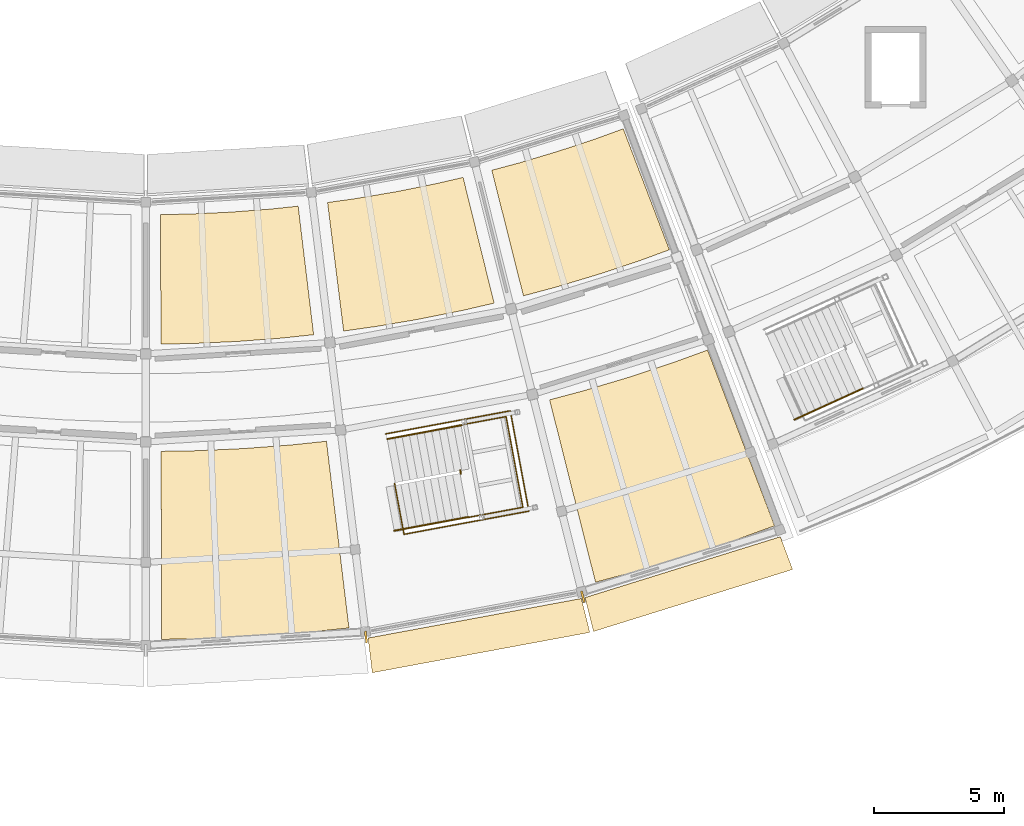
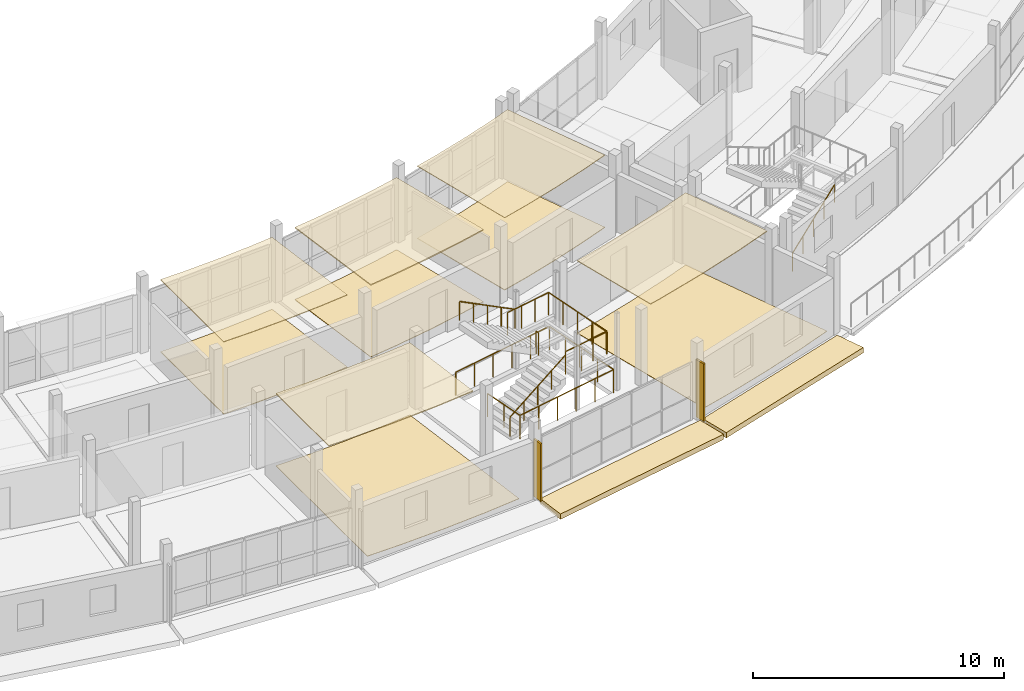
# One storey, part 34 of 36: 12 coverings, 6 railings, 2 shading devices.
"""IFC4 building model written with IfcOpenShell, lengths in metres."""

from ifc_helpers import new_model, si_unit, direction, frame, origin, origin_2d, place, context, subcontext, project, spatial, polyline, rectangle, circle, outline, extrude, material, layer, layer_set, type_object, element, save


model = new_model("IFC4")

# Units and contexts
model_context = context("Model", 3, precision=1e-05, world=origin(), true_north=direction((0.0, 1.0)))
body_context = subcontext(model_context, "Body", "Model", "MODEL_VIEW")
ifc_project = project(units=[si_unit("LENGTHUNIT", "METRE"), si_unit("AREAUNIT", "SQUARE_METRE"), si_unit("VOLUMEUNIT", "CUBIC_METRE"), si_unit("PLANEANGLEUNIT", "RADIAN"), si_unit("MASSUNIT", "GRAM", prefix="KILO")], contexts=[model_context])

# Site, building, storey
site_placement = place(None, origin())
site = spatial("IfcSite", under=ifc_project, at=site_placement, CompositionType="ELEMENT")
building_placement = place(site_placement, origin())
building = spatial("IfcBuilding", under=site, at=building_placement, Name="Caldaven Crescent School", CompositionType="ELEMENT")
storey_placement = place(building_placement, frame((0.0, 0.0, 11.89990234375)))
storey = spatial("IfcBuildingStorey", under=building, at=storey_placement, Name="L03", CompositionType="ELEMENT", Elevation=11.89990234375)

# Coverings
ifc_material_1 = material(Name="White architectural GFRC precast concrete C35/45 cladding", Category="concrete")
ifc_layer_1 = layer(ifc_material_1, 0.260009765625)
ifc_layer_set_1 = layer_set([ifc_layer_1], Name="White architectural GFRC precast concrete C35/45 cladding")
covering_type_1 = type_object("IfcCoveringType", Name="COV-CLD1", PredefinedType="CLADDING", material=ifc_layer_set_1)
covering_1_placement = place(storey_placement, frame((0.0, 0.0, -0.260009765625)))
element("IfcCovering", 1, at=covering_1_placement, inside=storey, type_object=covering_type_1, Name="CLD-OUT-L03-073", PredefinedType="CLADDING", context=body_context, shape_type="SweptSolid", body=[
    extrude(outline(polyline([(96.5791015625, 26.729248046875), (104.815185546875, 28.255615234375), (105.140380859375, 26.945556640625), (96.744873046875, 25.389404296875), (96.5791015625, 26.729248046875)])), origin(), (0.0, 0.0, 1.0), 0.260009765625),
])
covering_2_placement = place(storey_placement, frame((0.0, 0.0, -0.260009765625)))
element("IfcCovering", 2, at=covering_2_placement, inside=storey, type_object=covering_type_1, Name="CLD-OUT-L03-075", PredefinedType="CLADDING", context=body_context, shape_type="SweptSolid", body=[
    extrude(outline(polyline([(104.95703125, 28.291015625), (112.496337890625, 30.6396484375), (112.97021484375, 29.37548828125), (105.284912109375, 26.9814453125), (104.95703125, 28.291015625)])), origin(), (0.0, 0.0, 1.0), 0.260009765625),
])
ifc_material_2 = material(Name="Perforated Pino Radiata acoustic timber baffle ceiling", Category="wood")
ifc_layer_2 = layer(ifc_material_2, 0.030029296875)
ifc_layer_set_2 = layer_set([ifc_layer_2], Name="Perforated Pino Radiata acoustic timber baffle ceiling")
covering_type_2 = type_object("IfcCoveringType", Name="COV-CLG1", PredefinedType="CEILING", material=ifc_layer_set_2)
covering_3_placement = place(storey_placement, frame((0.0, 0.0, 3.510009765625)))
element("IfcCovering", 3, at=covering_3_placement, inside=storey, type_object=covering_type_2, Name="CLG-L03-176", PredefinedType="CEILING", context=body_context, shape_type="SweptSolid", body=[
    extrude(outline(polyline([(102.41943359375, 45.072021484375), (102.43212890625, 45.07568359375), (103.909912109375, 45.517822265625), (103.922607421875, 45.521728515625), (105.386962890625, 46.00732421875), (105.3994140625, 46.01171875), (106.43212890625, 46.38818359375), (108.21337890625, 41.716064453125), (107.0361328125, 41.287109375), (105.419921875, 40.751220703125), (103.78857421875, 40.26318359375), (102.578369140625, 39.939453125), (101.357666015625, 44.7880859375), (102.41943359375, 45.072021484375)])), origin(), (0.0, 0.0, 1.0), 0.030029296875),
])
ifc_layer_3 = layer(ifc_material_2, 0.0380859375)
ifc_layer_set_3 = layer_set([ifc_layer_3], Name="Perforated Pino Radiata acoustic timber baffle ceiling")
covering_type_3 = type_object("IfcCoveringType", Name="COV-CLG2", PredefinedType="CEILING", material=ifc_layer_set_3)
covering_4_placement = place(storey_placement, frame((0.0, 0.0, 3.502197265625)))
element("IfcCovering", 4, at=covering_4_placement, inside=storey, type_object=covering_type_3, Name="CLG-L03-173", PredefinedType="CEILING", context=body_context, shape_type="SweptSolid", body=[
    extrude(outline(polyline([(89.670654296875, 43.096435546875), (89.683837890625, 43.096923828125), (91.224609375, 43.16845703125), (91.23779296875, 43.169189453125), (92.776123046875, 43.285888671875), (92.789306640625, 43.287109375), (93.88232421875, 43.402587890625), (94.480224609375, 38.438720703125), (93.234375, 38.306884765625), (91.53662109375, 38.177978515625), (89.83544921875, 38.09912109375), (88.5830078125, 38.077880859375), (88.5712890625, 43.07763671875), (89.670654296875, 43.096435546875)])), origin(), (0.0, 0.0, 1.0), 0.037841796875),
])
covering_5_placement = place(storey_placement, frame((0.0, 0.0, 3.502197265625)))
element("IfcCovering", 5, at=covering_5_placement, inside=storey, type_object=covering_type_3, Name="CLG-L03-177", PredefinedType="CEILING", context=body_context, shape_type="SweptSolid", body=[
    extrude(outline(polyline([(104.910400390625, 36.278076171875), (104.923095703125, 36.281494140625), (106.658447265625, 36.80078125), (106.671142578125, 36.804931640625), (108.390380859375, 37.375), (108.40283203125, 37.379150390625), (109.68798828125, 37.84765625), (111.183349609375, 33.9248046875), (109.5205078125, 33.321533203125), (107.342041015625, 32.615478515625), (105.140625, 31.985107421875), (104.614013671875, 31.853759765625), (103.589111328125, 35.924560546875), (104.910400390625, 36.278076171875)])), origin(), (0.0, 0.0, 1.0), 0.037841796875),
])
ifc_layer_4 = layer(ifc_material_2, 0.0458984375)
ifc_layer_set_4 = layer_set([ifc_layer_4], Name="Perforated Pino Radiata acoustic timber baffle ceiling")
covering_type_4 = type_object("IfcCoveringType", Name="COV-CLG3", PredefinedType="CEILING", material=ifc_layer_set_4)
covering_6_placement = place(storey_placement, frame((0.0, 0.0, 3.494140625)))
element("IfcCovering", 6, at=covering_6_placement, inside=storey, type_object=covering_type_4, Name="CLG-L03-174", PredefinedType="CEILING", context=body_context, shape_type="SweptSolid", body=[
    extrude(outline(polyline([(89.960205078125, 33.9609375), (89.973388671875, 33.96142578125), (91.78271484375, 34.04541015625), (91.7958984375, 34.046142578125), (93.60205078125, 34.183349609375), (93.614990234375, 34.1845703125), (94.9755859375, 34.328125), (95.4775390625, 30.16015625), (93.7177734375, 29.977294921875), (91.433349609375, 29.819091796875), (89.14501953125, 29.739990234375), (88.60205078125, 29.739990234375), (88.59228515625, 33.937744140625), (89.960205078125, 33.9609375)])), origin(), (0.0, 0.0, 1.0), 0.0458984375),
])
ifc_layer_5 = layer(ifc_material_2, 0.053955078125)
ifc_layer_set_5 = layer_set([ifc_layer_5], Name="Perforated Pino Radiata acoustic timber baffle ceiling")
covering_type_5 = type_object("IfcCoveringType", Name="COV-CLG4", PredefinedType="CEILING", material=ifc_layer_set_5)
covering_7_placement = place(storey_placement, frame((0.0, 0.0, 3.486083984375)))
element("IfcCovering", 7, at=covering_7_placement, inside=storey, type_object=covering_type_5, Name="CLG-L03-175", PredefinedType="CEILING", context=body_context, shape_type="SweptSolid", body=[
    extrude(outline(polyline([(96.10546875, 43.6943359375), (96.118408203125, 43.6962890625), (97.63916015625, 43.955078125), (97.652099609375, 43.95751953125), (99.164794921875, 44.260986328125), (99.177490234375, 44.263916015625), (100.24853515625, 44.511474609375), (101.447021484375, 39.657470703125), (100.2265625, 39.375), (98.556884765625, 39.0400390625), (96.878173828125, 38.75439453125), (95.637451171875, 38.58056640625), (95.016845703125, 43.5419921875), (96.10546875, 43.6943359375)])), origin(), (0.0, 0.0, 1.0), 0.053955078125),
])
ifc_material_3 = material(Name="Polished terrazzo and acoustic linoleum flooring")
ifc_layer_6 = layer(ifc_material_3, 0.02001953125)
ifc_layer_set_6 = layer_set([ifc_layer_6], Name="Polished terrazzo and acoustic linoleum flooring")
covering_type_6 = type_object("IfcCoveringType", Name="COV-FLR1", PredefinedType="FLOORING", material=ifc_layer_set_6)
covering_8_placement = place(storey_placement, origin())
element("IfcCovering", 8, at=covering_8_placement, inside=storey, type_object=covering_type_6, Name="FLR-L03-174", PredefinedType="FLOORING", context=body_context, shape_type="SweptSolid", body=[
    extrude(outline(polyline([(88.59228515625, 33.937744140625), (89.960205078125, 33.9609375), (89.973388671875, 33.96142578125), (91.78271484375, 34.04541015625), (91.7958984375, 34.046142578125), (93.60205078125, 34.183349609375), (93.614990234375, 34.1845703125), (94.9755859375, 34.328125), (95.84375, 27.120361328125), (94.264404296875, 26.95361328125), (92.232421875, 26.79931640625), (90.19677734375, 26.704833984375), (88.609130859375, 26.677978515625), (88.59228515625, 33.937744140625)])), origin(), (0.0, 0.0, 1.0), 0.02001953125),
])
covering_9_placement = place(storey_placement, origin())
element("IfcCovering", 9, at=covering_9_placement, inside=storey, type_object=covering_type_6, Name="FLR-L03-177", PredefinedType="FLOORING", context=body_context, shape_type="SweptSolid", body=[
    extrude(outline(polyline([(103.589111328125, 35.924560546875), (104.910400390625, 36.278076171875), (104.923095703125, 36.281494140625), (106.658447265625, 36.80078125), (106.671142578125, 36.804931640625), (108.390380859375, 37.375), (108.40283203125, 37.379150390625), (109.68798828125, 37.84765625), (112.274169921875, 31.06396484375), (110.7822265625, 30.520263671875), (108.847900390625, 29.87890625), (106.8955078125, 29.294677734375), (105.361572265625, 28.884521484375), (103.589111328125, 35.924560546875)])), origin(), (0.0, 0.0, 1.0), 0.02001953125),
])
ifc_layer_7 = layer(ifc_material_3, 0.02587890625)
ifc_layer_set_7 = layer_set([ifc_layer_7], Name="Polished terrazzo and acoustic linoleum flooring")
covering_type_7 = type_object("IfcCoveringType", Name="COV-FLR2", PredefinedType="FLOORING", material=ifc_layer_set_7)
covering_10_placement = place(storey_placement, origin())
element("IfcCovering", 10, at=covering_10_placement, inside=storey, type_object=covering_type_7, Name="FLR-L03-175", PredefinedType="FLOORING", context=body_context, shape_type="SweptSolid", body=[
    extrude(outline(polyline([(95.016845703125, 43.5419921875), (96.10546875, 43.6943359375), (96.118408203125, 43.6962890625), (97.63916015625, 43.955078125), (97.652099609375, 43.95751953125), (99.164794921875, 44.260986328125), (99.177490234375, 44.263916015625), (100.24853515625, 44.511474609375), (101.447021484375, 39.657470703125), (100.2265625, 39.375), (98.556884765625, 39.0400390625), (96.878173828125, 38.75439453125), (95.637451171875, 38.58056640625), (95.016845703125, 43.5419921875)])), origin(), (0.0, 0.0, 1.0), 0.026123046875),
])
ifc_layer_8 = layer(ifc_material_3, 0.031982421875)
ifc_layer_set_8 = layer_set([ifc_layer_8], Name="Polished terrazzo and acoustic linoleum flooring")
covering_type_8 = type_object("IfcCoveringType", Name="COV-FLR3", PredefinedType="FLOORING", material=ifc_layer_set_8)
covering_11_placement = place(storey_placement, origin())
element("IfcCovering", 11, at=covering_11_placement, inside=storey, type_object=covering_type_8, Name="FLR-L03-173", PredefinedType="FLOORING", context=body_context, shape_type="SweptSolid", body=[
    extrude(outline(polyline([(88.5712890625, 43.07763671875), (89.670654296875, 43.096435546875), (89.683837890625, 43.096923828125), (91.224609375, 43.16845703125), (91.23779296875, 43.169189453125), (92.776123046875, 43.285888671875), (92.789306640625, 43.287109375), (93.88232421875, 43.402587890625), (94.480224609375, 38.438720703125), (93.234375, 38.306884765625), (91.53662109375, 38.177978515625), (89.83544921875, 38.09912109375), (88.5830078125, 38.077880859375), (88.5712890625, 43.07763671875)])), origin(), (0.0, 0.0, 1.0), 0.031982421875),
])
covering_12_placement = place(storey_placement, origin())
element("IfcCovering", 12, at=covering_12_placement, inside=storey, type_object=covering_type_8, Name="FLR-L03-176", PredefinedType="FLOORING", context=body_context, shape_type="SweptSolid", body=[
    extrude(outline(polyline([(101.357666015625, 44.7880859375), (102.41943359375, 45.072021484375), (102.43212890625, 45.07568359375), (103.909912109375, 45.517822265625), (103.922607421875, 45.521728515625), (105.386962890625, 46.00732421875), (105.3994140625, 46.01171875), (106.43212890625, 46.38818359375), (108.21337890625, 41.716064453125), (107.0361328125, 41.287109375), (105.419921875, 40.751220703125), (103.78857421875, 40.26318359375), (102.578369140625, 39.939453125), (101.357666015625, 44.7880859375)])), origin(), (0.0, 0.0, 1.0), 0.031982421875),
])

# Railings
ifc_material_4 = material(Name="Brushed stainless-steel continuous tubular handrail", Category="steel")
railing_type_1 = type_object("IfcRailingType", Name="RAL-HR1", PredefinedType="HANDRAIL", material=ifc_material_4)
railing_1_placement = place(storey_placement, frame((113.043701171875, 35.162841796875, 0.173095703125)))
element("IfcRailing", 13, at=railing_1_placement, inside=storey, type_object=railing_type_1, Name="HR-ST4-L03-F1", PredefinedType="HANDRAIL", context=body_context, shape_type="SweptSolid", body=[
    extrude(circle(Radius=0.02392578125, at=origin_2d()), frame((0.0, 0.0, 0.85595703125), z_axis=(0.785048939612, 0.357698772096, 0.505717066011), x_axis=(-0.414627358551, 0.909991293113, 0.0)), (0.0, 0.0, 1.0), 3.361572265625),
    extrude(circle(Radius=0.02099609375, at=origin_2d()), origin(), (0.0, 0.0, 1.0), 0.831787109375),
    extrude(circle(Radius=0.02099609375, at=origin_2d()), frame((0.65966796875, 0.300537109375, 0.425048828125)), (0.0, 0.0, 1.0), 0.831787109375),
    extrude(circle(Radius=0.02099609375, at=origin_2d()), frame((1.3193359375, 0.60107421875, 0.85009765625)), (0.0, 0.0, 1.0), 0.831787109375),
    extrude(circle(Radius=0.02099609375, at=origin_2d()), frame((1.979248046875, 0.90185546875, 1.27490234375)), (0.0, 0.0, 1.0), 0.831787109375),
    extrude(circle(Radius=0.02099609375, at=origin_2d()), frame((2.638916015625, 1.202392578125, 1.699951171875)), (0.0, 0.0, 1.0), 0.831787109375),
])
railing_type_2 = type_object("IfcRailingType", Name="RAL-HR4", PredefinedType="HANDRAIL", material=ifc_material_4)
railing_2_placement = place(storey_placement, frame((97.589111328125, 30.871826171875, 0.173095703125)))
element("IfcRailing", 14, at=railing_2_placement, inside=storey, type_object=railing_type_2, Name="HR-ST3-L03-F1", PredefinedType="HANDRAIL", context=body_context, shape_type="SweptSolid", body=[
    extrude(circle(Radius=0.02392578125, at=origin_2d()), frame((0.0, 0.0, 0.916015625), z_axis=(0.848265297383, 0.157234106921, 0.50569103302), x_axis=(-0.18225505464, 0.98325128785, 0.0)), (0.0, 0.0, 1.0), 3.361572265625),
    extrude(circle(Radius=0.02099609375, at=origin_2d()), origin(), (0.0, 0.0, 1.0), 0.891845703125),
    extrude(circle(Radius=0.02099609375, at=origin_2d()), frame((0.712890625, 0.132080078125, 0.425048828125)), (0.0, 0.0, 1.0), 0.891845703125),
    extrude(circle(Radius=0.02099609375, at=origin_2d()), frame((1.42578125, 0.26416015625, 0.85009765625)), (0.0, 0.0, 1.0), 0.891845703125),
    extrude(circle(Radius=0.02099609375, at=origin_2d()), frame((2.138671875, 0.396484375, 1.27490234375)), (0.0, 0.0, 1.0), 0.891845703125),
    extrude(circle(Radius=0.02099609375, at=origin_2d()), frame((2.8515625, 0.528564453125, 1.699951171875)), (0.0, 0.0, 1.0), 0.891845703125),
])
railing_3_placement = place(storey_placement, frame((100.1708984375, 34.9404296875, 2.043212890625)))
element("IfcRailing", 15, at=railing_3_placement, inside=storey, type_object=railing_type_2, Name="HR-ST3-L03-F2", PredefinedType="HANDRAIL", context=body_context, shape_type="SweptSolid", body=[
    extrude(circle(Radius=0.02392578125, at=origin_2d()), frame((0.0, 0.0, 0.916015625), z_axis=(-0.848254613383, -0.157172958589, 0.50572796241), x_axis=(0.182188747239, -0.98326357625, 0.0)), (0.0, 0.0, 1.0), 3.361328125),
    extrude(circle(Radius=0.02099609375, at=origin_2d()), origin(), (0.0, 0.0, 1.0), 0.891845703125),
    extrude(circle(Radius=0.02099609375, at=origin_2d()), frame((-0.712890625, -0.132080078125, 0.425048828125)), (0.0, 0.0, 1.0), 0.891845703125),
    extrude(circle(Radius=0.02099609375, at=origin_2d()), frame((-1.42578125, -0.26416015625, 0.85009765625)), (0.0, 0.0, 1.0), 0.891845703125),
    extrude(circle(Radius=0.02099609375, at=origin_2d()), frame((-2.138427734375, -0.396240234375, 1.27490234375)), (0.0, 0.0, 1.0), 0.891845703125),
    extrude(circle(Radius=0.02099609375, at=origin_2d()), frame((-2.851318359375, -0.5283203125, 1.699951171875)), (0.0, 0.0, 1.0), 0.891845703125),
])
ifc_material_5 = material(Name="Powder-coated tubular steel balustrade ASTM A572 Grade 50", Category="steel")
railing_type_3 = type_object("IfcRailingType", Name="RAL-INT2", PredefinedType="BALUSTRADE", material=ifc_material_5)
railing_4_placement = place(storey_placement, frame((100.443359375, 31.3857421875, 1.8701171875)))
element("IfcRailing", 16, at=railing_4_placement, inside=storey, type_object=railing_type_3, Name="GD-LND-ST3-L03", PredefinedType="BALUSTRADE", context=body_context, shape_type="SweptSolid", body=[
    extrude(circle(Radius=0.02392578125, at=origin_2d()), frame((0.0, 0.0, 1.09619140625), z_axis=(0.983272214345, 0.182142121701, 0.0), x_axis=(-0.182142121701, 0.983272214345, 0.0)), (0.0, 0.0, 1.0), 2.14990234375),
    extrude(circle(Radius=0.02392578125, at=origin_2d()), frame((2.114013671875, 0.3916015625, 1.09619140625), z_axis=(-0.182209587226, 0.983259714584, 0.0), x_axis=(-0.983259714584, -0.182209587226, 0.0)), (0.0, 0.0, 1.0), 3.56005859375),
    extrude(circle(Radius=0.02392578125, at=origin_2d()), frame((1.46533203125, 3.89208984375, 1.09619140625), z_axis=(-0.983251871482, -0.182251905962, 0.0), x_axis=(0.182251905962, -0.983251871482, 0.0)), (0.0, 0.0, 1.0), 2.14990234375),
    extrude(circle(Radius=0.02099609375, at=origin_2d()), origin(), (0.0, 0.0, 1.0), 1.072021484375),
    extrude(circle(Radius=0.02099609375, at=origin_2d()), frame((0.70458984375, 0.130615234375, 0.0)), (0.0, 0.0, 1.0), 1.072021484375),
    extrude(circle(Radius=0.02099609375, at=origin_2d()), frame((1.409423828125, 0.260986328125, 0.0)), (0.0, 0.0, 1.0), 1.072021484375),
    extrude(circle(Radius=0.02099609375, at=origin_2d()), frame((2.114013671875, 0.3916015625, 0.0)), (0.0, 0.0, 1.0), 1.072021484375),
    extrude(circle(Radius=0.02099609375, at=origin_2d()), frame((1.951904296875, 1.2666015625, 0.0)), (0.0, 0.0, 1.0), 1.072021484375),
    extrude(circle(Radius=0.02099609375, at=origin_2d()), frame((1.78955078125, 2.141845703125, 0.0)), (0.0, 0.0, 1.0), 1.072021484375),
    extrude(circle(Radius=0.02099609375, at=origin_2d()), frame((1.62744140625, 3.01708984375, 0.0)), (0.0, 0.0, 1.0), 1.072021484375),
    extrude(circle(Radius=0.02099609375, at=origin_2d()), frame((1.46533203125, 3.89208984375, 0.0)), (0.0, 0.0, 1.0), 1.072021484375),
    extrude(circle(Radius=0.02099609375, at=origin_2d()), frame((0.7607421875, 3.761474609375, 0.0)), (0.0, 0.0, 1.0), 1.072021484375),
    extrude(circle(Radius=0.02099609375, at=origin_2d()), frame((0.055908203125, 3.630859375, 0.0)), (0.0, 0.0, 1.0), 1.072021484375),
    extrude(circle(Radius=0.02099609375, at=origin_2d()), frame((-0.648681640625, 3.500244140625, 0.0)), (0.0, 0.0, 1.0), 1.072021484375),
])
railing_5_placement = place(storey_placement, frame((100.161376953125, 33.072509765625, 1.8701171875)))
element("IfcRailing", 17, at=railing_5_placement, inside=storey, type_object=railing_type_3, Name="GD-SLT-ST3-L03", PredefinedType="BALUSTRADE", context=body_context, shape_type="SweptSolid", body=[
    extrude(circle(Radius=0.02392578125, at=origin_2d()), frame((0.0, 0.0, 1.09619140625), z_axis=(-0.183025457922, 0.983108173983, 0.0), x_axis=(-0.983108173983, -0.183025457922, 0.0)), (0.0, 0.0, 1.0), 0.14013671875),
    extrude(circle(Radius=0.02099609375, at=origin_2d()), origin(), (0.0, 0.0, 1.0), 1.072021484375),
    extrude(circle(Radius=0.02099609375, at=origin_2d()), frame((-0.025634765625, 0.1376953125, 0.0)), (0.0, 0.0, 1.0), 1.072021484375),
])
railing_type_4 = type_object("IfcRailingType", Name="RAL-INT3", PredefinedType="BALUSTRADE", material=ifc_material_5)
railing_6_placement = place(storey_placement, frame((97.606201171875, 32.6904296875, 0.0)))
element("IfcRailing", 18, at=railing_6_placement, inside=storey, type_object=railing_type_4, Name="GD-WELL-ST3-L03", PredefinedType="BALUSTRADE", context=body_context, shape_type="SweptSolid", body=[
    extrude(circle(Radius=0.02392578125, at=origin_2d()), frame((0.0, 0.0, 1.1259765625), z_axis=(0.182199096939, -0.983261658499, 0.0), x_axis=(0.983261658499, 0.182199096939, 0.0)), (0.0, 0.0, 1.0), 1.98974609375),
    extrude(circle(Radius=0.02392578125, at=origin_2d()), frame((0.362548828125, -1.95654296875, 1.1259765625), z_axis=(0.983254581157, 0.18223728662, 0.0), x_axis=(-0.18223728662, 0.983254581157, 0.0)), (0.0, 0.0, 1.0), 4.90185546875),
    extrude(circle(Radius=0.02392578125, at=origin_2d()), frame((5.182373046875, -1.063232421875, 1.1259765625), z_axis=(-0.182237923861, 0.98325446305, 0.0), x_axis=(-0.98325446305, -0.182237923861, 0.0)), (0.0, 0.0, 1.0), 3.93994140625),
    extrude(circle(Radius=0.02392578125, at=origin_2d()), frame((4.46435546875, 2.810791015625, 1.1259765625), z_axis=(-0.983254581157, -0.18223728662, 0.0), x_axis=(0.18223728662, -0.983254581157, 0.0)), (0.0, 0.0, 1.0), 4.90185546875),
    extrude(circle(Radius=0.02099609375, at=origin_2d()), origin(), (0.0, 0.0, 1.0), 1.101806640625),
    extrude(circle(Radius=0.02099609375, at=origin_2d()), frame((0.18115234375, -0.978271484375, 0.0)), (0.0, 0.0, 1.0), 1.101806640625),
    extrude(circle(Radius=0.02099609375, at=origin_2d()), frame((0.362548828125, -1.95654296875, 0.0)), (0.0, 0.0, 1.0), 1.101806640625),
    extrude(circle(Radius=0.02099609375, at=origin_2d()), frame((1.326416015625, -1.77783203125, 0.0)), (0.0, 0.0, 1.0), 1.101806640625),
    extrude(circle(Radius=0.02099609375, at=origin_2d()), frame((2.29052734375, -1.59912109375, 0.0)), (0.0, 0.0, 1.0), 1.101806640625),
    extrude(circle(Radius=0.02099609375, at=origin_2d()), frame((3.25439453125, -1.420654296875, 0.0)), (0.0, 0.0, 1.0), 1.101806640625),
    extrude(circle(Radius=0.02099609375, at=origin_2d()), frame((4.218505859375, -1.241943359375, 0.0)), (0.0, 0.0, 1.0), 1.101806640625),
    extrude(circle(Radius=0.02099609375, at=origin_2d()), frame((5.182373046875, -1.063232421875, 0.0)), (0.0, 0.0, 1.0), 1.101806640625),
    extrude(circle(Radius=0.02099609375, at=origin_2d()), frame((5.0029296875, -0.0947265625, 0.0)), (0.0, 0.0, 1.0), 1.101806640625),
    extrude(circle(Radius=0.02099609375, at=origin_2d()), frame((4.8232421875, 0.873779296875, 0.0)), (0.0, 0.0, 1.0), 1.101806640625),
    extrude(circle(Radius=0.02099609375, at=origin_2d()), frame((4.643798828125, 1.84228515625, 0.0)), (0.0, 0.0, 1.0), 1.101806640625),
    extrude(circle(Radius=0.02099609375, at=origin_2d()), frame((4.46435546875, 2.810791015625, 0.0)), (0.0, 0.0, 1.0), 1.101806640625),
    extrude(circle(Radius=0.02099609375, at=origin_2d()), frame((3.50048828125, 2.632080078125, 0.0)), (0.0, 0.0, 1.0), 1.101806640625),
    extrude(circle(Radius=0.02099609375, at=origin_2d()), frame((2.536376953125, 2.453369140625, 0.0)), (0.0, 0.0, 1.0), 1.101806640625),
    extrude(circle(Radius=0.02099609375, at=origin_2d()), frame((1.572509765625, 2.27490234375, 0.0)), (0.0, 0.0, 1.0), 1.101806640625),
    extrude(circle(Radius=0.02099609375, at=origin_2d()), frame((0.6083984375, 2.09619140625, 0.0)), (0.0, 0.0, 1.0), 1.101806640625),
    extrude(circle(Radius=0.02099609375, at=origin_2d()), frame((-0.35546875, 1.91748046875, 0.0)), (0.0, 0.0, 1.0), 1.101806640625),
])

# Shading devices
ifc_material_6 = material(Name="Bronze-anodised aluminium AA 6063-T6 sunshade", Category="aluminium")
ifc_layer_9 = layer(ifc_material_6, 0.080078125)
ifc_layer_set_9 = layer_set([ifc_layer_9], Name="Bronze-anodised aluminium AA 6063-T6 sunshade")
shading_device_type = type_object("IfcShadingDeviceType", Name="SHD-S04", PredefinedType="JALOUSIE", material=ifc_layer_set_9)
for number, where, z_axis, x_axis, name in (
    (19, (96.50048828125, 26.77001953125, 0.0), (0.0, 0.0, 1.0), (0.121869343405, -0.992546151641, 0.0), "SHD-FIN-L03-055"),
    (20, (104.8740234375, 28.32177734375, 0.0), (0.0, 0.0, 1.0), (0.2419218956, -0.970295726276, 0.0), "SHD-FIN-L03-057"),
):
    element("IfcShadingDevice", number, at=place(storey_placement, frame(where, z_axis=z_axis, x_axis=x_axis)), inside=storey, type_object=shading_device_type, Name=name, PredefinedType="JALOUSIE", context=body_context, shape_type="SweptSolid", body=[
        extrude(rectangle(XDim=0.449951171875, YDim=0.080078125, at=origin_2d()), origin(), (0.0, 0.0, 1.0), 2.800048828125),
    ])

save(model, "model.ifc")
